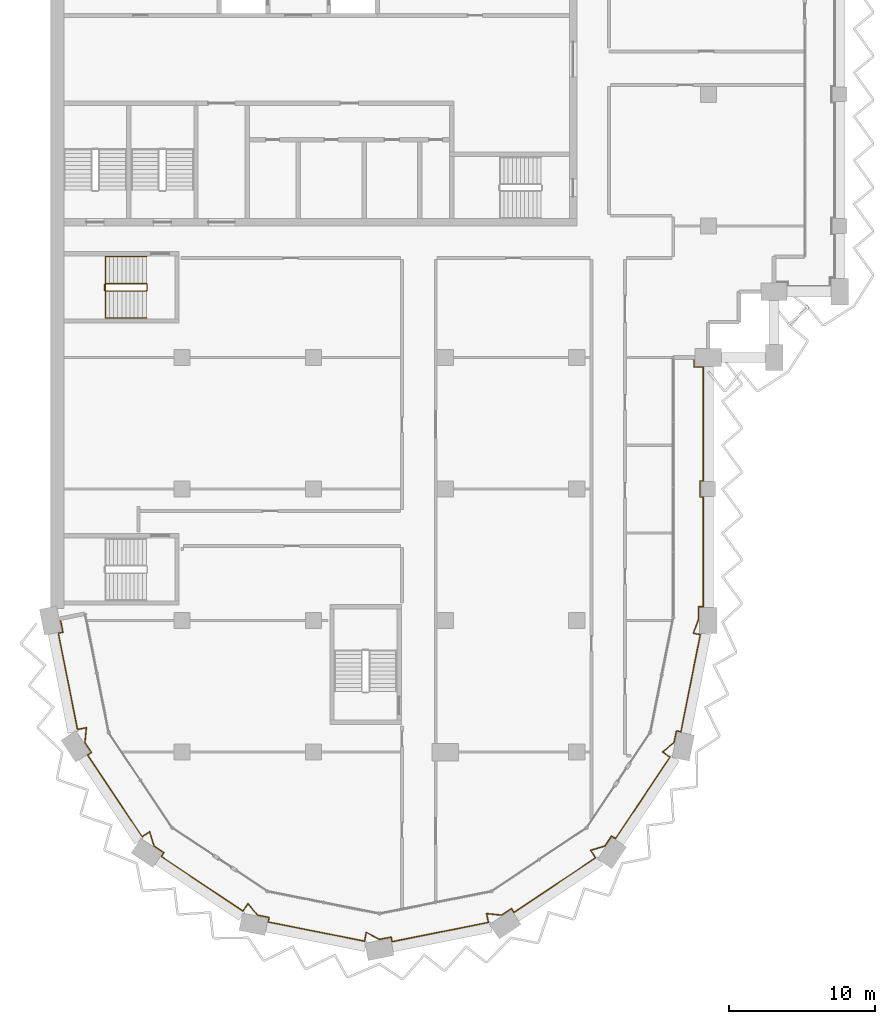
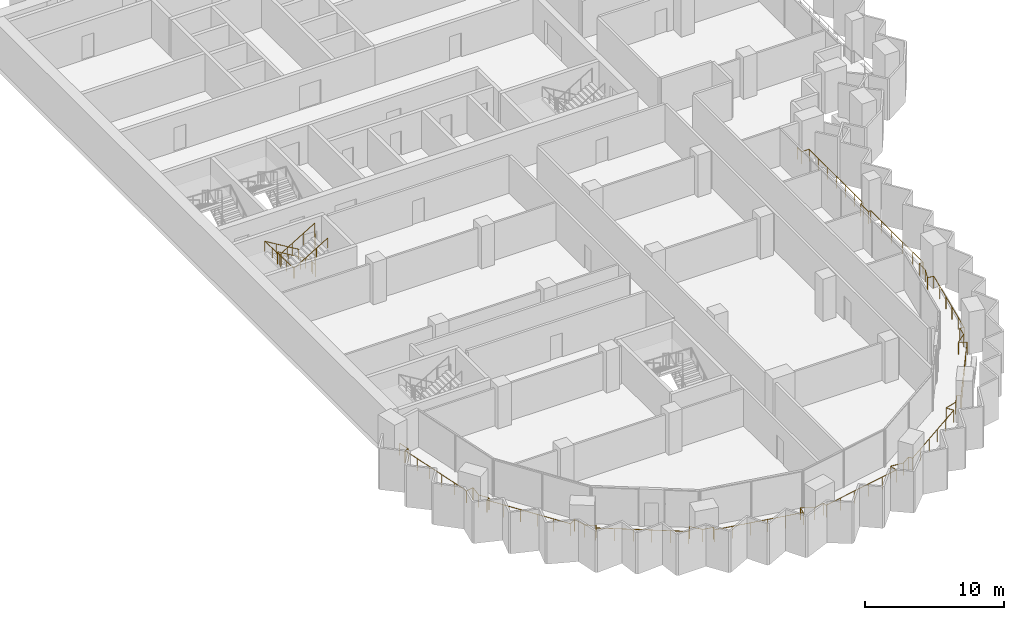
# One storey, part 15 of 17: 3 railings.
"""IFC4 building model written with IfcOpenShell, lengths in metres."""

from ifc_helpers import new_model, si_unit, direction, frame, origin, origin_2d, place, context, subcontext, project, spatial, circle, extrude, material, type_object, element, save


model = new_model("IFC4")

# Units and contexts
model_context = context("Model", 3, precision=1e-05, world=origin(), true_north=direction((0.0, 1.0)))
body_context = subcontext(model_context, "Body", "Model", "MODEL_VIEW")
ifc_project = project(units=[si_unit("LENGTHUNIT", "METRE"), si_unit("AREAUNIT", "SQUARE_METRE"), si_unit("VOLUMEUNIT", "CUBIC_METRE"), si_unit("PLANEANGLEUNIT", "RADIAN"), si_unit("MASSUNIT", "GRAM", prefix="KILO")], contexts=[model_context])

# Site, building, storey
site_placement = place(None, origin())
site = spatial("IfcSite", under=ifc_project, at=site_placement, CompositionType="ELEMENT")
building_placement = place(site_placement, origin())
building = spatial("IfcBuilding", under=site, at=building_placement, Name="Hunhe Ridgeline Campus", CompositionType="ELEMENT")
storey_placement = place(building_placement, frame((0.0, 0.0, 201.300048828125)))
storey = spatial("IfcBuildingStorey", under=building, at=storey_placement, Name="L51", CompositionType="ELEMENT", Elevation=201.300048828125)

# Railings
ifc_material_1 = material(Name="Steel Q355", Category="steel")
railing_type_1 = type_object("IfcRailingType", Name="Loggia guard 1100 Steel Q355", PredefinedType="GUARDRAIL", material=ifc_material_1)
railing_1_placement = place(storey_placement, frame((0.6572265625, 36.130615234375, 0.0)))
element("IfcRailing", 1, at=railing_1_placement, inside=storey, type_object=railing_type_1, Name="Loggia guard 1", PredefinedType="GUARDRAIL", context=body_context, shape_type="SweptSolid", body=[
    extrude(circle(Radius=0.02392578125, at=origin_2d()), frame((0.0, 0.0, 1.076171875), z_axis=(0.195078060519, -0.980787719287, 0.0), x_axis=(0.980787719287, 0.195078060519, 0.0)), (0.0, 0.0, 1.0), 0.949951171875),
    extrude(circle(Radius=0.02392578125, at=origin_2d()), frame((0.185302734375, -0.931640625, 1.076171875), z_axis=(-0.980756274917, -0.195236085831, 0.0), x_axis=(0.195236085831, -0.980756274917, 0.0)), (0.0, 0.0, 1.0), 0.320068359375),
    extrude(circle(Radius=0.02392578125, at=origin_2d()), frame((-0.128662109375, -0.994140625, 1.076171875), z_axis=(0.195081688297, -0.980786997717, 0.0), x_axis=(0.980786997717, 0.195081688297, 0.0)), (0.0, 0.0, 1.0), 6.718017578125),
    extrude(circle(Radius=0.02392578125, at=origin_2d()), frame((1.181884765625, -7.5830078125, 1.076171875), z_axis=(0.980747227858, 0.195281527671, 0.0), x_axis=(-0.195281527671, 0.980747227858, 0.0)), (0.0, 0.0, 1.0), 0.618896484375),
    extrude(circle(Radius=0.02392578125, at=origin_2d()), frame((1.788818359375, -7.462158203125, 1.076171875), z_axis=(-0.100047453171, -0.99498266674, 0.0), x_axis=(0.99498266674, -0.100047453171, 0.0)), (0.0, 0.0, 1.0), 1.0224609375),
    extrude(circle(Radius=0.02392578125, at=origin_2d()), frame((1.6865234375, -8.4794921875, 1.076171875), z_axis=(0.555596479569, -0.83145207432, 0.0), x_axis=(0.83145207432, 0.555596479569, 0.0)), (0.0, 0.0, 1.0), 0.81689453125),
    extrude(circle(Radius=0.02392578125, at=origin_2d()), frame((2.140380859375, -9.15869140625, 1.076171875), z_axis=(-0.831580508376, -0.555404229448, 0.0), x_axis=(0.555404229448, -0.831580508376, 0.0)), (0.0, 0.0, 1.0), 0.320068359375),
    extrude(circle(Radius=0.02392578125, at=origin_2d()), frame((1.874267578125, -9.33642578125, 1.076171875), z_axis=(0.555588848626, -0.831457173451, 0.0), x_axis=(0.831457173451, 0.555588848626, 0.0)), (0.0, 0.0, 1.0), 6.718017578125),
    extrude(circle(Radius=0.02392578125, at=origin_2d()), frame((5.606689453125, -14.922119140625, 1.076171875), z_axis=(0.831442704119, 0.555610501851, 0.0), x_axis=(-0.555610501851, 0.831442704119, 0.0)), (0.0, 0.0, 1.0), 0.61865234375),
    extrude(circle(Radius=0.02392578125, at=origin_2d()), frame((6.12109375, -14.578369140625, 1.076171875), z_axis=(0.28844300651, -0.957497066312, 0.0), x_axis=(0.957497066312, 0.28844300651, 0.0)), (0.0, 0.0, 1.0), 1.0224609375),
    extrude(circle(Radius=0.02392578125, at=origin_2d()), frame((6.416015625, -15.557373046875, 1.076171875), z_axis=(0.831359782977, -0.55573456906, 0.0), x_axis=(0.55573456906, 0.831359782977, 0.0)), (0.0, 0.0, 1.0), 0.816650390625),
    extrude(circle(Radius=0.02392578125, at=origin_2d()), frame((7.094970703125, -16.01123046875, 1.076171875), z_axis=(-0.555404229448, -0.831580508376, 0.0), x_axis=(0.831580508376, -0.555404229448, 0.0)), (0.0, 0.0, 1.0), 0.320068359375),
    extrude(circle(Radius=0.02392578125, at=origin_2d()), frame((6.917236328125, -16.27734375, 1.076171875), z_axis=(0.831473961305, -0.555563724222, 0.0), x_axis=(0.555563724222, 0.831473961305, 0.0)), (0.0, 0.0, 1.0), 6.7177734375),
    extrude(circle(Radius=0.02392578125, at=origin_2d()), frame((12.5029296875, -20.009521484375, 1.076171875), z_axis=(0.555610501851, 0.831442704119, 0.0), x_axis=(-0.831442704119, 0.555610501851, 0.0)), (0.0, 0.0, 1.0), 0.61865234375),
    extrude(circle(Radius=0.02392578125, at=origin_2d()), frame((12.8466796875, -19.4951171875, 1.076171875), z_axis=(0.63289971186, -0.774233785576, 0.0), x_axis=(0.774233785576, 0.63289971186, 0.0)), (0.0, 0.0, 1.0), 1.022705078125),
    extrude(circle(Radius=0.02392578125, at=origin_2d()), frame((13.493896484375, -20.286865234375, 1.076171875), z_axis=(0.980821383877, -0.194908729743, 0.0), x_axis=(0.194908729743, 0.980821383877, 0.0)), (0.0, 0.0, 1.0), 0.816650390625),
    extrude(circle(Radius=0.02392578125, at=origin_2d()), frame((14.294921875, -20.446044921875, 1.076171875), z_axis=(-0.195236085831, -0.980756274917, 0.0), x_axis=(0.980756274917, -0.195236085831, 0.0)), (0.0, 0.0, 1.0), 0.320068359375),
    extrude(circle(Radius=0.02392578125, at=origin_2d()), frame((14.232421875, -20.760009765625, 1.076171875), z_axis=(0.980786997717, -0.195081688297, 0.0), x_axis=(0.195081688297, 0.980786997717, 0.0)), (0.0, 0.0, 1.0), 6.718017578125),
    extrude(circle(Radius=0.02392578125, at=origin_2d()), frame((20.8212890625, -22.070556640625, 1.076171875), z_axis=(0.194902020226, 0.980822717168, 0.0), x_axis=(-0.980822717168, 0.194902020226, 0.0)), (0.0, 0.0, 1.0), 0.618896484375),
    extrude(circle(Radius=0.02392578125, at=origin_2d()), frame((20.94189453125, -21.463623046875, 1.076171875), z_axis=(0.880961256043, -0.473188403652, 0.0), x_axis=(0.473188403652, 0.880961256043, 0.0)), (0.0, 0.0, 1.0), 1.022705078125),
    extrude(circle(Radius=0.02392578125, at=origin_2d()), frame((21.8427734375, -21.947509765625, 1.076171875), z_axis=(0.980764196543, 0.195196287822, 0.0), x_axis=(-0.195196287822, 0.980764196543, 0.0)), (0.0, 0.0, 1.0), 0.816650390625),
    extrude(circle(Radius=0.02392578125, at=origin_2d()), frame((22.643798828125, -21.7880859375, 1.076171875), z_axis=(0.195236085831, -0.980756274917, 0.0), x_axis=(0.980756274917, 0.195236085831, 0.0)), (0.0, 0.0, 1.0), 0.320068359375),
    extrude(circle(Radius=0.02392578125, at=origin_2d()), frame((22.706298828125, -22.10205078125, 1.076171875), z_axis=(0.980786997717, 0.195081688297, 0.0), x_axis=(-0.195081688297, 0.980786997717, 0.0)), (0.0, 0.0, 1.0), 6.718017578125),
    extrude(circle(Radius=0.02392578125, at=origin_2d()), frame((29.295166015625, -20.79150390625, 1.076171875), z_axis=(-0.195281527671, 0.980747227858, 0.0), x_axis=(-0.980747227858, -0.195281527671, 0.0)), (0.0, 0.0, 1.0), 0.618896484375),
    extrude(circle(Radius=0.02392578125, at=origin_2d()), frame((29.17431640625, -20.1845703125, 1.076171875), z_axis=(0.99498266674, -0.100047453171, 0.0), x_axis=(0.100047453171, 0.99498266674, 0.0)), (0.0, 0.0, 1.0), 1.0224609375),
    extrude(circle(Radius=0.02392578125, at=origin_2d()), frame((30.191650390625, -20.286865234375, 1.076171875), z_axis=(0.83145207432, 0.555596479569, 0.0), x_axis=(-0.555596479569, 0.83145207432, 0.0)), (0.0, 0.0, 1.0), 0.81689453125),
    extrude(circle(Radius=0.02392578125, at=origin_2d()), frame((30.870849609375, -19.8330078125, 1.076171875), z_axis=(0.555404229448, -0.831580508376, 0.0), x_axis=(0.831580508376, 0.555404229448, 0.0)), (0.0, 0.0, 1.0), 0.320068359375),
    extrude(circle(Radius=0.02392578125, at=origin_2d()), frame((31.048583984375, -20.09912109375, 1.076171875), z_axis=(0.831457173451, 0.555588848626, 0.0), x_axis=(-0.555588848626, 0.831457173451, 0.0)), (0.0, 0.0, 1.0), 6.718017578125),
    extrude(circle(Radius=0.02392578125, at=origin_2d()), frame((36.63427734375, -16.36669921875, 1.076171875), z_axis=(-0.555610501851, 0.831442704119, 0.0), x_axis=(-0.831442704119, -0.555610501851, 0.0)), (0.0, 0.0, 1.0), 0.61865234375),
    extrude(circle(Radius=0.02392578125, at=origin_2d()), frame((36.29052734375, -15.852294921875, 1.076171875), z_axis=(0.957497066312, 0.28844300651, 0.0), x_axis=(-0.28844300651, 0.957497066312, 0.0)), (0.0, 0.0, 1.0), 1.0224609375),
    extrude(circle(Radius=0.02392578125, at=origin_2d()), frame((37.26953125, -15.557373046875, 1.076171875), z_axis=(0.55573456906, 0.831359782977, 0.0), x_axis=(-0.831359782977, 0.55573456906, 0.0)), (0.0, 0.0, 1.0), 0.816650390625),
    extrude(circle(Radius=0.02392578125, at=origin_2d()), frame((37.723388671875, -14.87841796875, 1.076171875), z_axis=(0.831580508376, -0.555404229448, 0.0), x_axis=(0.555404229448, 0.831580508376, 0.0)), (0.0, 0.0, 1.0), 0.320068359375),
    extrude(circle(Radius=0.02392578125, at=origin_2d()), frame((37.989501953125, -15.05615234375, 1.076171875), z_axis=(0.555563724222, 0.831473961305, 0.0), x_axis=(-0.831473961305, 0.555563724222, 0.0)), (0.0, 0.0, 1.0), 6.7177734375),
    extrude(circle(Radius=0.02392578125, at=origin_2d()), frame((41.7216796875, -9.470458984375, 1.076171875), z_axis=(-0.831442704119, 0.555610501851, 0.0), x_axis=(-0.555610501851, -0.831442704119, 0.0)), (0.0, 0.0, 1.0), 0.61865234375),
    extrude(circle(Radius=0.02392578125, at=origin_2d()), frame((41.207275390625, -9.126708984375, 1.076171875), z_axis=(0.774233785576, 0.63289971186, 0.0), x_axis=(-0.63289971186, 0.774233785576, 0.0)), (0.0, 0.0, 1.0), 1.022705078125),
    extrude(circle(Radius=0.02392578125, at=origin_2d()), frame((41.9990234375, -8.4794921875, 1.076171875), z_axis=(0.194908729743, 0.980821383877, 0.0), x_axis=(-0.980821383877, 0.194908729743, 0.0)), (0.0, 0.0, 1.0), 0.816650390625),
    extrude(circle(Radius=0.02392578125, at=origin_2d()), frame((42.158203125, -7.678466796875, 1.076171875), z_axis=(0.980756274917, -0.195236085831, 0.0), x_axis=(0.195236085831, 0.980756274917, 0.0)), (0.0, 0.0, 1.0), 0.320068359375),
    extrude(circle(Radius=0.02392578125, at=origin_2d()), frame((42.47216796875, -7.740966796875, 1.076171875), z_axis=(0.195084106665, 0.980786516693, 0.0), x_axis=(-0.980786516693, 0.195084106665, 0.0)), (0.0, 0.0, 1.0), 6.779296875),
    extrude(circle(Radius=0.02392578125, at=origin_2d()), frame((43.794677734375, -1.092041015625, 1.076171875), z_axis=(-0.980754922768, 0.195242878144, 0.0), x_axis=(-0.195242878144, -0.980754922768, 0.0)), (0.0, 0.0, 1.0), 0.48388671875),
    extrude(circle(Radius=0.02392578125, at=origin_2d()), frame((43.320068359375, -0.99755859375, 1.076171875), z_axis=(0.353724256779, 0.93534974751, 0.0), x_axis=(-0.93534974751, 0.353724256779, 0.0)), (0.0, 0.0, 1.0), 0.997314453125),
    extrude(circle(Radius=0.02392578125, at=origin_2d()), frame((43.6728515625, -0.064697265625, 1.076171875), z_axis=(0.0, 1.0, 0.0), x_axis=(-1.0, 0.0, 0.0)), (0.0, 0.0, 1.0), 0.884033203125),
    extrude(circle(Radius=0.02392578125, at=origin_2d()), frame((43.6728515625, 0.8193359375, 1.076171875), z_axis=(1.0, 0.0, 0.0), x_axis=(0.0, 1.0, 0.0)), (0.0, 0.0, 1.0), 0.31982421875),
    extrude(circle(Radius=0.02392578125, at=origin_2d()), frame((43.99267578125, 0.8193359375, 1.076171875), z_axis=(0.0, 1.0, 0.0), x_axis=(-1.0, 0.0, 0.0)), (0.0, 0.0, 1.0), 7.5),
    extrude(circle(Radius=0.02392578125, at=origin_2d()), frame((43.99267578125, 8.3193359375, 1.076171875), z_axis=(-1.0, 0.0, 0.0), x_axis=(0.0, -1.0, 0.0)), (0.0, 0.0, 1.0), 0.219970703125),
    extrude(circle(Radius=0.02392578125, at=origin_2d()), frame((43.772705078125, 8.3193359375, 1.076171875), z_axis=(0.0, 1.0, 0.0), x_axis=(-1.0, 0.0, 0.0)), (0.0, 0.0, 1.0), 1.10009765625),
    extrude(circle(Radius=0.02392578125, at=origin_2d()), frame((43.772705078125, 9.41943359375, 1.076171875), z_axis=(1.0, 0.0, 0.0), x_axis=(0.0, 1.0, 0.0)), (0.0, 0.0, 1.0), 0.219970703125),
    extrude(circle(Radius=0.02392578125, at=origin_2d()), frame((43.99267578125, 9.41943359375, 1.076171875), z_axis=(0.0, 1.0, 0.0), x_axis=(-1.0, 0.0, 0.0)), (0.0, 0.0, 1.0), 7.800048828125),
    extrude(circle(Radius=0.02392578125, at=origin_2d()), frame((43.99267578125, 17.219482421875, 1.076171875), z_axis=(-1.0, 0.0, 0.0), x_axis=(0.0, -1.0, 0.0)), (0.0, 0.0, 1.0), 0.619873046875),
    extrude(circle(Radius=0.02392578125, at=origin_2d()), frame((43.372802734375, 17.219482421875, 1.076171875), z_axis=(0.0, 1.0, 0.0), x_axis=(-1.0, 0.0, 0.0)), (0.0, 0.0, 1.0), 0.64990234375),
    extrude(circle(Radius=0.02099609375, at=origin_2d()), origin(), (0.0, 0.0, 1.0), 1.052001953125),
    extrude(circle(Radius=0.02099609375, at=origin_2d()), frame((0.185302734375, -0.931640625, 0.0)), (0.0, 0.0, 1.0), 1.052001953125),
    extrude(circle(Radius=0.02099609375, at=origin_2d()), frame((-0.128662109375, -0.994140625, 0.0)), (0.0, 0.0, 1.0), 1.052001953125),
    extrude(circle(Radius=0.02099609375, at=origin_2d()), frame((0.133544921875, -2.31201171875, 0.0)), (0.0, 0.0, 1.0), 1.052001953125),
    extrude(circle(Radius=0.02099609375, at=origin_2d()), frame((0.3955078125, -3.629638671875, 0.0)), (0.0, 0.0, 1.0), 1.052001953125),
    extrude(circle(Radius=0.02099609375, at=origin_2d()), frame((0.65771484375, -4.947509765625, 0.0)), (0.0, 0.0, 1.0), 1.052001953125),
    extrude(circle(Radius=0.02099609375, at=origin_2d()), frame((0.919677734375, -6.26513671875, 0.0)), (0.0, 0.0, 1.0), 1.052001953125),
    extrude(circle(Radius=0.02099609375, at=origin_2d()), frame((1.181884765625, -7.5830078125, 0.0)), (0.0, 0.0, 1.0), 1.052001953125),
    extrude(circle(Radius=0.02099609375, at=origin_2d()), frame((1.788818359375, -7.462158203125, 0.0)), (0.0, 0.0, 1.0), 1.052001953125),
    extrude(circle(Radius=0.02099609375, at=origin_2d()), frame((1.6865234375, -8.4794921875, 0.0)), (0.0, 0.0, 1.0), 1.052001953125),
    extrude(circle(Radius=0.02099609375, at=origin_2d()), frame((2.140380859375, -9.15869140625, 0.0)), (0.0, 0.0, 1.0), 1.052001953125),
    extrude(circle(Radius=0.02099609375, at=origin_2d()), frame((1.874267578125, -9.33642578125, 0.0)), (0.0, 0.0, 1.0), 1.052001953125),
    extrude(circle(Radius=0.02099609375, at=origin_2d()), frame((2.620849609375, -10.45361328125, 0.0)), (0.0, 0.0, 1.0), 1.052001953125),
    extrude(circle(Radius=0.02099609375, at=origin_2d()), frame((3.3671875, -11.57080078125, 0.0)), (0.0, 0.0, 1.0), 1.052001953125),
    extrude(circle(Radius=0.02099609375, at=origin_2d()), frame((4.11376953125, -12.687744140625, 0.0)), (0.0, 0.0, 1.0), 1.052001953125),
    extrude(circle(Radius=0.02099609375, at=origin_2d()), frame((4.860107421875, -13.804931640625, 0.0)), (0.0, 0.0, 1.0), 1.052001953125),
    extrude(circle(Radius=0.02099609375, at=origin_2d()), frame((5.606689453125, -14.922119140625, 0.0)), (0.0, 0.0, 1.0), 1.052001953125),
    extrude(circle(Radius=0.02099609375, at=origin_2d()), frame((6.12109375, -14.578369140625, 0.0)), (0.0, 0.0, 1.0), 1.052001953125),
    extrude(circle(Radius=0.02099609375, at=origin_2d()), frame((6.416015625, -15.557373046875, 0.0)), (0.0, 0.0, 1.0), 1.052001953125),
    extrude(circle(Radius=0.02099609375, at=origin_2d()), frame((7.094970703125, -16.01123046875, 0.0)), (0.0, 0.0, 1.0), 1.052001953125),
    extrude(circle(Radius=0.02099609375, at=origin_2d()), frame((6.917236328125, -16.27734375, 0.0)), (0.0, 0.0, 1.0), 1.052001953125),
    extrude(circle(Radius=0.02099609375, at=origin_2d()), frame((8.034423828125, -17.023681640625, 0.0)), (0.0, 0.0, 1.0), 1.052001953125),
    extrude(circle(Radius=0.02099609375, at=origin_2d()), frame((9.151611328125, -17.770263671875, 0.0)), (0.0, 0.0, 1.0), 1.052001953125),
    extrude(circle(Radius=0.02099609375, at=origin_2d()), frame((10.2685546875, -18.5166015625, 0.0)), (0.0, 0.0, 1.0), 1.052001953125),
    extrude(circle(Radius=0.02099609375, at=origin_2d()), frame((11.3857421875, -19.26318359375, 0.0)), (0.0, 0.0, 1.0), 1.052001953125),
    extrude(circle(Radius=0.02099609375, at=origin_2d()), frame((12.5029296875, -20.009521484375, 0.0)), (0.0, 0.0, 1.0), 1.052001953125),
    extrude(circle(Radius=0.02099609375, at=origin_2d()), frame((12.8466796875, -19.4951171875, 0.0)), (0.0, 0.0, 1.0), 1.052001953125),
    extrude(circle(Radius=0.02099609375, at=origin_2d()), frame((13.493896484375, -20.286865234375, 0.0)), (0.0, 0.0, 1.0), 1.052001953125),
    extrude(circle(Radius=0.02099609375, at=origin_2d()), frame((14.294921875, -20.446044921875, 0.0)), (0.0, 0.0, 1.0), 1.052001953125),
    extrude(circle(Radius=0.02099609375, at=origin_2d()), frame((14.232421875, -20.760009765625, 0.0)), (0.0, 0.0, 1.0), 1.052001953125),
    extrude(circle(Radius=0.02099609375, at=origin_2d()), frame((15.55029296875, -21.022216796875, 0.0)), (0.0, 0.0, 1.0), 1.052001953125),
    extrude(circle(Radius=0.02099609375, at=origin_2d()), frame((16.867919921875, -21.2841796875, 0.0)), (0.0, 0.0, 1.0), 1.052001953125),
    extrude(circle(Radius=0.02099609375, at=origin_2d()), frame((18.185791015625, -21.54638671875, 0.0)), (0.0, 0.0, 1.0), 1.052001953125),
    extrude(circle(Radius=0.02099609375, at=origin_2d()), frame((19.50341796875, -21.808349609375, 0.0)), (0.0, 0.0, 1.0), 1.052001953125),
    extrude(circle(Radius=0.02099609375, at=origin_2d()), frame((20.8212890625, -22.070556640625, 0.0)), (0.0, 0.0, 1.0), 1.052001953125),
    extrude(circle(Radius=0.02099609375, at=origin_2d()), frame((20.94189453125, -21.463623046875, 0.0)), (0.0, 0.0, 1.0), 1.052001953125),
    extrude(circle(Radius=0.02099609375, at=origin_2d()), frame((21.8427734375, -21.947509765625, 0.0)), (0.0, 0.0, 1.0), 1.052001953125),
    extrude(circle(Radius=0.02099609375, at=origin_2d()), frame((22.643798828125, -21.7880859375, 0.0)), (0.0, 0.0, 1.0), 1.052001953125),
    extrude(circle(Radius=0.02099609375, at=origin_2d()), frame((22.706298828125, -22.10205078125, 0.0)), (0.0, 0.0, 1.0), 1.052001953125),
    extrude(circle(Radius=0.02099609375, at=origin_2d()), frame((24.024169921875, -21.83984375, 0.0)), (0.0, 0.0, 1.0), 1.052001953125),
    extrude(circle(Radius=0.02099609375, at=origin_2d()), frame((25.341796875, -21.577880859375, 0.0)), (0.0, 0.0, 1.0), 1.052001953125),
    extrude(circle(Radius=0.02099609375, at=origin_2d()), frame((26.65966796875, -21.315673828125, 0.0)), (0.0, 0.0, 1.0), 1.052001953125),
    extrude(circle(Radius=0.02099609375, at=origin_2d()), frame((27.977294921875, -21.0537109375, 0.0)), (0.0, 0.0, 1.0), 1.052001953125),
    extrude(circle(Radius=0.02099609375, at=origin_2d()), frame((29.295166015625, -20.79150390625, 0.0)), (0.0, 0.0, 1.0), 1.052001953125),
    extrude(circle(Radius=0.02099609375, at=origin_2d()), frame((29.17431640625, -20.1845703125, 0.0)), (0.0, 0.0, 1.0), 1.052001953125),
    extrude(circle(Radius=0.02099609375, at=origin_2d()), frame((30.191650390625, -20.286865234375, 0.0)), (0.0, 0.0, 1.0), 1.052001953125),
    extrude(circle(Radius=0.02099609375, at=origin_2d()), frame((30.870849609375, -19.8330078125, 0.0)), (0.0, 0.0, 1.0), 1.052001953125),
    extrude(circle(Radius=0.02099609375, at=origin_2d()), frame((31.048583984375, -20.09912109375, 0.0)), (0.0, 0.0, 1.0), 1.052001953125),
    extrude(circle(Radius=0.02099609375, at=origin_2d()), frame((32.165771484375, -19.3525390625, 0.0)), (0.0, 0.0, 1.0), 1.052001953125),
    extrude(circle(Radius=0.02099609375, at=origin_2d()), frame((33.282958984375, -18.606201171875, 0.0)), (0.0, 0.0, 1.0), 1.052001953125),
    extrude(circle(Radius=0.02099609375, at=origin_2d()), frame((34.39990234375, -17.859619140625, 0.0)), (0.0, 0.0, 1.0), 1.052001953125),
    extrude(circle(Radius=0.02099609375, at=origin_2d()), frame((35.51708984375, -17.11328125, 0.0)), (0.0, 0.0, 1.0), 1.052001953125),
    extrude(circle(Radius=0.02099609375, at=origin_2d()), frame((36.63427734375, -16.36669921875, 0.0)), (0.0, 0.0, 1.0), 1.052001953125),
    extrude(circle(Radius=0.02099609375, at=origin_2d()), frame((36.29052734375, -15.852294921875, 0.0)), (0.0, 0.0, 1.0), 1.052001953125),
    extrude(circle(Radius=0.02099609375, at=origin_2d()), frame((37.26953125, -15.557373046875, 0.0)), (0.0, 0.0, 1.0), 1.052001953125),
    extrude(circle(Radius=0.02099609375, at=origin_2d()), frame((37.723388671875, -14.87841796875, 0.0)), (0.0, 0.0, 1.0), 1.052001953125),
    extrude(circle(Radius=0.02099609375, at=origin_2d()), frame((37.989501953125, -15.05615234375, 0.0)), (0.0, 0.0, 1.0), 1.052001953125),
    extrude(circle(Radius=0.02099609375, at=origin_2d()), frame((38.73583984375, -13.93896484375, 0.0)), (0.0, 0.0, 1.0), 1.052001953125),
    extrude(circle(Radius=0.02099609375, at=origin_2d()), frame((39.482421875, -12.82177734375, 0.0)), (0.0, 0.0, 1.0), 1.052001953125),
    extrude(circle(Radius=0.02099609375, at=origin_2d()), frame((40.228759765625, -11.704833984375, 0.0)), (0.0, 0.0, 1.0), 1.052001953125),
    extrude(circle(Radius=0.02099609375, at=origin_2d()), frame((40.975341796875, -10.587646484375, 0.0)), (0.0, 0.0, 1.0), 1.052001953125),
    extrude(circle(Radius=0.02099609375, at=origin_2d()), frame((41.7216796875, -9.470458984375, 0.0)), (0.0, 0.0, 1.0), 1.052001953125),
    extrude(circle(Radius=0.02099609375, at=origin_2d()), frame((41.207275390625, -9.126708984375, 0.0)), (0.0, 0.0, 1.0), 1.052001953125),
    extrude(circle(Radius=0.02099609375, at=origin_2d()), frame((41.9990234375, -8.4794921875, 0.0)), (0.0, 0.0, 1.0), 1.052001953125),
    extrude(circle(Radius=0.02099609375, at=origin_2d()), frame((42.158203125, -7.678466796875, 0.0)), (0.0, 0.0, 1.0), 1.052001953125),
    extrude(circle(Radius=0.02099609375, at=origin_2d()), frame((42.47216796875, -7.740966796875, 0.0)), (0.0, 0.0, 1.0), 1.052001953125),
    extrude(circle(Radius=0.02099609375, at=origin_2d()), frame((42.736572265625, -6.4111328125, 0.0)), (0.0, 0.0, 1.0), 1.052001953125),
    extrude(circle(Radius=0.02099609375, at=origin_2d()), frame((43.001220703125, -5.081298828125, 0.0)), (0.0, 0.0, 1.0), 1.052001953125),
    extrude(circle(Radius=0.02099609375, at=origin_2d()), frame((43.265625, -3.751708984375, 0.0)), (0.0, 0.0, 1.0), 1.052001953125),
    extrude(circle(Radius=0.02099609375, at=origin_2d()), frame((43.5302734375, -2.421875, 0.0)), (0.0, 0.0, 1.0), 1.052001953125),
    extrude(circle(Radius=0.02099609375, at=origin_2d()), frame((43.794677734375, -1.092041015625, 0.0)), (0.0, 0.0, 1.0), 1.052001953125),
    extrude(circle(Radius=0.02099609375, at=origin_2d()), frame((43.320068359375, -0.99755859375, 0.0)), (0.0, 0.0, 1.0), 1.052001953125),
    extrude(circle(Radius=0.02099609375, at=origin_2d()), frame((43.6728515625, -0.064697265625, 0.0)), (0.0, 0.0, 1.0), 1.052001953125),
    extrude(circle(Radius=0.02099609375, at=origin_2d()), frame((43.6728515625, 0.8193359375, 0.0)), (0.0, 0.0, 1.0), 1.052001953125),
    extrude(circle(Radius=0.02099609375, at=origin_2d()), frame((43.99267578125, 0.8193359375, 0.0)), (0.0, 0.0, 1.0), 1.052001953125),
    extrude(circle(Radius=0.02099609375, at=origin_2d()), frame((43.99267578125, 2.3193359375, 0.0)), (0.0, 0.0, 1.0), 1.052001953125),
    extrude(circle(Radius=0.02099609375, at=origin_2d()), frame((43.99267578125, 3.8193359375, 0.0)), (0.0, 0.0, 1.0), 1.052001953125),
    extrude(circle(Radius=0.02099609375, at=origin_2d()), frame((43.99267578125, 5.3193359375, 0.0)), (0.0, 0.0, 1.0), 1.052001953125),
    extrude(circle(Radius=0.02099609375, at=origin_2d()), frame((43.99267578125, 6.8193359375, 0.0)), (0.0, 0.0, 1.0), 1.052001953125),
    extrude(circle(Radius=0.02099609375, at=origin_2d()), frame((43.99267578125, 8.3193359375, 0.0)), (0.0, 0.0, 1.0), 1.052001953125),
    extrude(circle(Radius=0.02099609375, at=origin_2d()), frame((43.772705078125, 8.3193359375, 0.0)), (0.0, 0.0, 1.0), 1.052001953125),
    extrude(circle(Radius=0.02099609375, at=origin_2d()), frame((43.772705078125, 9.41943359375, 0.0)), (0.0, 0.0, 1.0), 1.052001953125),
    extrude(circle(Radius=0.02099609375, at=origin_2d()), frame((43.99267578125, 9.41943359375, 0.0)), (0.0, 0.0, 1.0), 1.052001953125),
    extrude(circle(Radius=0.02099609375, at=origin_2d()), frame((43.99267578125, 10.719482421875, 0.0)), (0.0, 0.0, 1.0), 1.052001953125),
    extrude(circle(Radius=0.02099609375, at=origin_2d()), frame((43.99267578125, 12.01953125, 0.0)), (0.0, 0.0, 1.0), 1.052001953125),
    extrude(circle(Radius=0.02099609375, at=origin_2d()), frame((43.99267578125, 13.3193359375, 0.0)), (0.0, 0.0, 1.0), 1.052001953125),
    extrude(circle(Radius=0.02099609375, at=origin_2d()), frame((43.99267578125, 14.619384765625, 0.0)), (0.0, 0.0, 1.0), 1.052001953125),
    extrude(circle(Radius=0.02099609375, at=origin_2d()), frame((43.99267578125, 15.91943359375, 0.0)), (0.0, 0.0, 1.0), 1.052001953125),
    extrude(circle(Radius=0.02099609375, at=origin_2d()), frame((43.99267578125, 17.219482421875, 0.0)), (0.0, 0.0, 1.0), 1.052001953125),
    extrude(circle(Radius=0.02099609375, at=origin_2d()), frame((43.372802734375, 17.219482421875, 0.0)), (0.0, 0.0, 1.0), 1.052001953125),
    extrude(circle(Radius=0.02099609375, at=origin_2d()), frame((43.372802734375, 17.869384765625, 0.0)), (0.0, 0.0, 1.0), 1.052001953125),
])
ifc_material_2 = material(Name="Stainless steel balustrade", Category="steel")
railing_type_2 = type_object("IfcRailingType", Name="Stair guard 1100 stainless", PredefinedType="GUARDRAIL", material=ifc_material_2)
railing_2_placement = place(storey_placement, frame((6.550048828125, 59.050048828125, 0.168212890625)))
element("IfcRailing", 2, at=railing_2_placement, inside=storey, type_object=railing_type_2, Name="L51 stair W2 guard", PredefinedType="GUARDRAIL", context=body_context, shape_type="SweptSolid", body=[
    extrude(circle(Radius=0.02392578125, at=origin_2d()), frame((0.0, 0.0, 1.076171875), z_axis=(-0.857275202839, 0.0, 0.514858452973), x_axis=(0.0, -1.0, 0.0)), (0.0, 0.0, 1.0), 3.26611328125),
    extrude(circle(Radius=0.02392578125, at=origin_2d()), frame((-2.800048828125, 0.0, 2.7578125), z_axis=(-0.707106781187, -0.707106781187, 0.0), x_axis=(0.707106781187, -0.707106781187, 0.0)), (0.0, 0.0, 1.0), 0.07080078125),
    extrude(circle(Radius=0.02392578125, at=origin_2d()), frame((-2.85009765625, -0.050048828125, 2.7578125), z_axis=(0.0, -1.0, 0.0), x_axis=(1.0, 0.0, 0.0)), (0.0, 0.0, 1.0), 0.39990234375),
    extrude(circle(Radius=0.02392578125, at=origin_2d()), frame((-2.85009765625, -0.449951171875, 2.7578125), z_axis=(0.274243871929, -0.274243871929, 0.92172696468), x_axis=(0.707106781187, 0.707106781187, 0.0)), (0.0, 0.0, 1.0), 0.1826171875),
    extrude(circle(Radius=0.02392578125, at=origin_2d()), frame((-2.800048828125, -0.5, 2.92578125), z_axis=(0.857242210791, 0.0, 0.514913383045), x_axis=(0.0, 1.0, 0.0)), (0.0, 0.0, 1.0), 3.266357421875),
    extrude(circle(Radius=0.02392578125, at=origin_2d()), frame((0.0, -0.5, 4.60791015625), z_axis=(0.013524414389, 0.013524414389, -0.999817073484), x_axis=(-0.707106781187, 0.707106781187, 0.0)), (0.0, 0.0, 1.0), 3.70068359375),
    extrude(circle(Radius=0.02392578125, at=origin_2d()), frame((0.050048828125, -0.449951171875, 0.90771484375), z_axis=(0.0, 1.0, 0.0), x_axis=(-1.0, 0.0, 0.0)), (0.0, 0.0, 1.0), 0.39990234375),
    extrude(circle(Radius=0.02099609375, at=origin_2d()), origin(), (0.0, 0.0, 1.0), 1.052001953125),
    extrude(circle(Radius=0.02099609375, at=origin_2d()), frame((-0.933349609375, 0.0, 0.560546875)), (0.0, 0.0, 1.0), 1.052001953125),
    extrude(circle(Radius=0.02099609375, at=origin_2d()), frame((-1.86669921875, 0.0, 1.12109375)), (0.0, 0.0, 1.0), 1.052001953125),
    extrude(circle(Radius=0.02099609375, at=origin_2d()), frame((-2.800048828125, 0.0, 1.681640625)), (0.0, 0.0, 1.0), 1.052001953125),
    extrude(circle(Radius=0.02099609375, at=origin_2d()), frame((-2.85009765625, -0.050048828125, 1.681640625)), (0.0, 0.0, 1.0), 1.052001953125),
    extrude(circle(Radius=0.02099609375, at=origin_2d()), frame((-2.85009765625, -0.449951171875, 1.681640625)), (0.0, 0.0, 1.0), 1.052001953125),
    extrude(circle(Radius=0.02099609375, at=origin_2d()), frame((-2.800048828125, -0.5, 1.849853515625)), (0.0, 0.0, 1.0), 1.052001953125),
    extrude(circle(Radius=0.02099609375, at=origin_2d()), frame((-1.86669921875, -0.5, 2.410400390625)), (0.0, 0.0, 1.0), 1.052001953125),
    extrude(circle(Radius=0.02099609375, at=origin_2d()), frame((-0.933349609375, -0.5, 2.97119140625)), (0.0, 0.0, 1.0), 1.052001953125),
    extrude(circle(Radius=0.02099609375, at=origin_2d()), frame((0.0, -0.5, 3.53173828125)), (0.0, 0.0, 1.0), 1.052001953125),
    extrude(circle(Radius=0.02099609375, at=origin_2d()), frame((0.012451171875, -0.487548828125, 2.606689453125)), (0.0, 0.0, 1.0), 1.052001953125),
    extrude(circle(Radius=0.02099609375, at=origin_2d()), frame((0.02490234375, -0.47509765625, 1.681640625)), (0.0, 0.0, 1.0), 1.052001953125),
    extrude(circle(Radius=0.02099609375, at=origin_2d()), frame((0.03759765625, -0.46240234375, 0.7568359375)), (0.0, 0.0, 1.0), 1.052001953125),
    extrude(circle(Radius=0.02099609375, at=origin_2d()), frame((0.050048828125, -0.449951171875, -0.168212890625)), (0.0, 0.0, 1.0), 1.052001953125),
    extrude(circle(Radius=0.02099609375, at=origin_2d()), frame((0.050048828125, -0.050048828125, -0.168212890625)), (0.0, 0.0, 1.0), 1.052001953125),
])
ifc_material_3 = material(Name="Stainless steel handrail", Category="steel")
railing_type_3 = type_object("IfcRailingType", Name="Stair handrail 900 stainless", PredefinedType="HANDRAIL", material=ifc_material_3)
railing_3_placement = place(storey_placement, frame((6.550048828125, 60.89990234375, 0.168212890625)))
element("IfcRailing", 3, at=railing_3_placement, inside=storey, type_object=railing_type_3, Name="L51 stair W2 handrail", PredefinedType="HANDRAIL", context=body_context, shape_type="SweptSolid", body=[
    extrude(circle(Radius=0.02392578125, at=origin_2d()), frame((0.0, 0.0, 0.8759765625), z_axis=(-0.857275202839, 0.0, 0.514858452973), x_axis=(0.0, -1.0, 0.0)), (0.0, 0.0, 1.0), 3.26611328125),
    extrude(circle(Radius=0.02392578125, at=origin_2d()), frame((-2.800048828125, 0.0, 2.5576171875), z_axis=(0.0, -0.999198916169, 0.040019069537), x_axis=(1.0, 0.0, 0.0)), (0.0, 0.0, 1.0), 4.203369140625),
    extrude(circle(Radius=0.02392578125, at=origin_2d()), frame((-2.800048828125, -4.199951171875, 2.7255859375), z_axis=(0.857242210791, 0.0, 0.514913383045), x_axis=(0.0, 1.0, 0.0)), (0.0, 0.0, 1.0), 3.266357421875),
    extrude(circle(Radius=0.02099609375, at=origin_2d()), origin(), (0.0, 0.0, 1.0), 0.851806640625),
    extrude(circle(Radius=0.02099609375, at=origin_2d()), frame((-0.933349609375, 0.0, 0.560546875)), (0.0, 0.0, 1.0), 0.851806640625),
    extrude(circle(Radius=0.02099609375, at=origin_2d()), frame((-1.86669921875, 0.0, 1.12109375)), (0.0, 0.0, 1.0), 0.851806640625),
    extrude(circle(Radius=0.02099609375, at=origin_2d()), frame((-2.800048828125, 0.0, 1.681640625)), (0.0, 0.0, 1.0), 0.851806640625),
    extrude(circle(Radius=0.02099609375, at=origin_2d()), frame((-2.800048828125, -1.050048828125, 1.7236328125)), (0.0, 0.0, 1.0), 0.851806640625),
    extrude(circle(Radius=0.02099609375, at=origin_2d()), frame((-2.800048828125, -2.10009765625, 1.765625)), (0.0, 0.0, 1.0), 0.851806640625),
    extrude(circle(Radius=0.02099609375, at=origin_2d()), frame((-2.800048828125, -3.14990234375, 1.807861328125)), (0.0, 0.0, 1.0), 0.851806640625),
    extrude(circle(Radius=0.02099609375, at=origin_2d()), frame((-2.800048828125, -4.199951171875, 1.849853515625)), (0.0, 0.0, 1.0), 0.851806640625),
    extrude(circle(Radius=0.02099609375, at=origin_2d()), frame((-1.86669921875, -4.199951171875, 2.410400390625)), (0.0, 0.0, 1.0), 0.851806640625),
    extrude(circle(Radius=0.02099609375, at=origin_2d()), frame((-0.933349609375, -4.199951171875, 2.97119140625)), (0.0, 0.0, 1.0), 0.851806640625),
    extrude(circle(Radius=0.02099609375, at=origin_2d()), frame((0.0, -4.199951171875, 3.53173828125)), (0.0, 0.0, 1.0), 0.851806640625),
])

save(model, "model.ifc")
